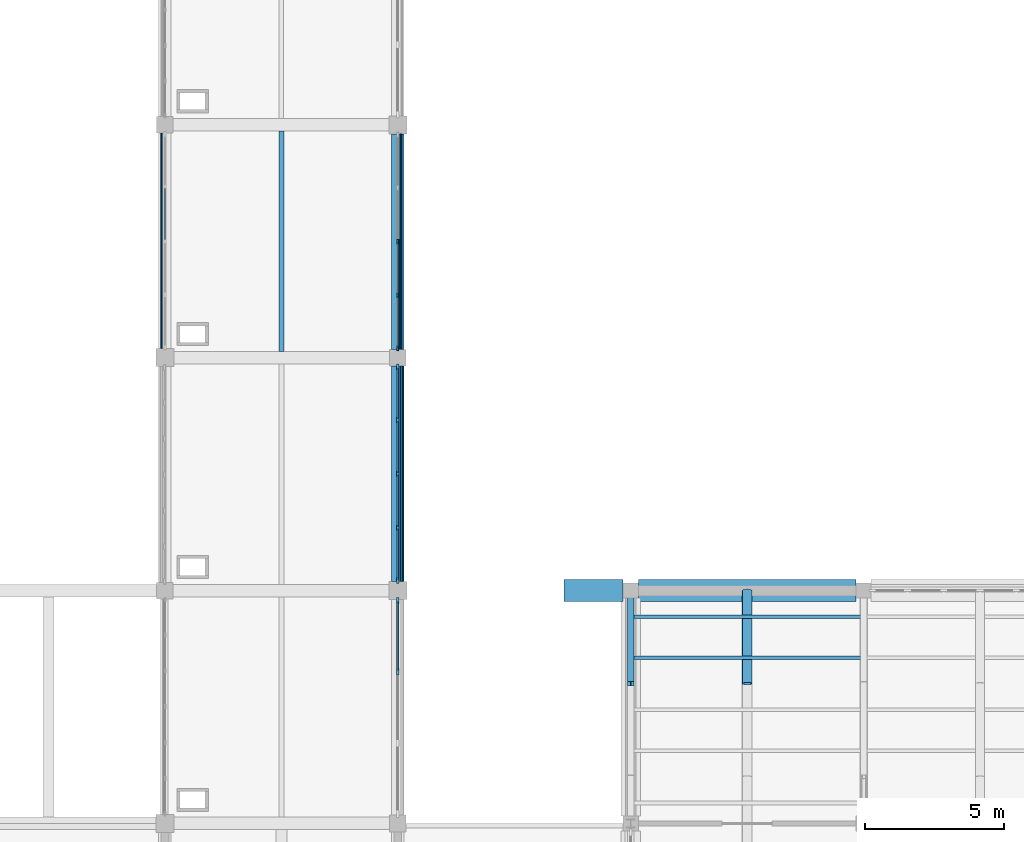
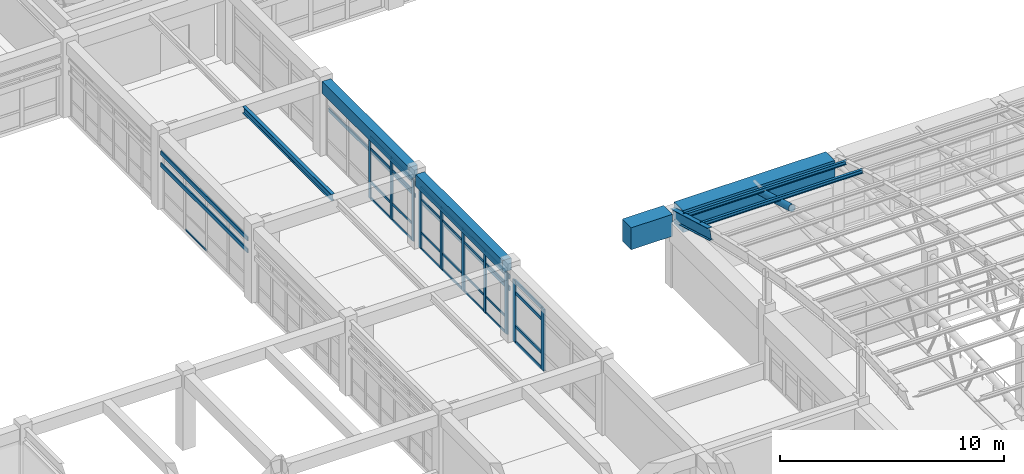
# One storey, part 27 of 74: 48 members, 6 beams, 4 elements without a shape of their own.
"""IFC4 building model written with IfcOpenShell, lengths in metres."""

from ifc_helpers import new_model, si_unit, direction, frame, origin, origin_2d, place, context, subcontext, project, spatial, rectangle, hollow_circle, i_section, extrude, material, layer, layer_set, material_profile, profile_set, type_object, element, aggregate, save


model = new_model("IFC4")

# Units and contexts
model_context = context("Model", 3, precision=1e-05, world=origin(), true_north=direction((0.0, 1.0)))
body_context = subcontext(model_context, "Body", "Model", "MODEL_VIEW")
ifc_project = project(units=[si_unit("LENGTHUNIT", "METRE"), si_unit("AREAUNIT", "SQUARE_METRE"), si_unit("VOLUMEUNIT", "CUBIC_METRE"), si_unit("PLANEANGLEUNIT", "RADIAN"), si_unit("MASSUNIT", "GRAM", prefix="KILO")], contexts=[model_context])

# Site, building, storey
site_placement = place(None, origin())
site = spatial("IfcSite", under=ifc_project, at=site_placement, CompositionType="ELEMENT")
building_placement = place(site_placement, origin())
building = spatial("IfcBuilding", under=site, at=building_placement, Name="Porcellanite Civic Hall", CompositionType="ELEMENT")
storey_placement = place(building_placement, frame((0.0, 0.0, 14.760009765625)))
storey = spatial("IfcBuildingStorey", under=building, at=storey_placement, Name="L03", CompositionType="ELEMENT", Elevation=14.760009765625)

# Member
ifc_material_1 = material(Name="Steel C350L0", Category="steel")
ifc_material_profile_1 = material_profile(ifc_material_1, hollow_circle(Radius=0.177734375, WallThickness=0.0126953125, at=origin_2d()), Name="355.6x12.7CHS")
ifc_profile_set_1 = profile_set([ifc_material_profile_1], Name="Steel C350L0")
member_type_1 = type_object("IfcMemberType", Name="ARCH-355CHS", PredefinedType="RAFTER", material=ifc_profile_set_1)
member_1_placement = place(storey_placement, frame((71.39990234375, 72.239990234375, 4.689208984375), z_axis=(0.0, 0.961270518067, -0.275606587539), x_axis=(-1.0, 0.0, 0.0)))
element("IfcMember", 1, at=member_1_placement, inside=storey, type_object=member_type_1, Name="Chamber secondary arch segment 8 10", PredefinedType="RAFTER", context=body_context, shape_type="SweptSolid", body=[
    extrude(hollow_circle(Radius=0.177734375, WallThickness=0.0126953125, at=origin_2d()), origin(), (0.0, 0.0, 1.0), 3.49560546875),
])

# Beams
ifc_material_2 = material(Name="Concrete N50 (50 MPa)", Category="concrete")
ifc_material_profile_2 = material_profile(ifc_material_2, rectangle(XDim=0.449951171875, YDim=0.64990234375, at=origin_2d()), Name="RC-450x650")
ifc_profile_set_2 = profile_set([ifc_material_profile_2], Name="Concrete N50 (50 MPa)")
beam_type_1 = type_object("IfcBeamType", Name="BM-RC650", PredefinedType="SPANDREL", material=ifc_profile_set_2)
for number, where, z_axis, x_axis, name in (
    (2, (58.800048828125, 75.924560546875, 3.744873046875), (0.0, 1.0, 0.0), (-1.0, 0.0, 0.0), "Beam Y L03 8-10"),
    (3, (58.800048828125, 84.299560546875, 3.744873046875), (0.0, 1.0, 0.0), (-1.0, 0.0, 0.0), "Beam Y L03 8-11"),
):
    element("IfcBeam", number, at=place(storey_placement, frame(where, z_axis=z_axis, x_axis=x_axis)), inside=storey, type_object=beam_type_1, Name=name, PredefinedType="SPANDREL", context=body_context, shape_type="SweptSolid", body=[
        extrude(rectangle(XDim=0.449951171875, YDim=0.64990234375, at=origin_2d()), origin(), (0.0, 0.0, 1.0), 7.77587890625),
    ])

# Curtain wall, members
ifc_material_3 = material(Name="Anodised aluminium and solar laminated glass", Category="aluminium")
ifc_layer_1 = layer(ifc_material_3, 0.179931640625)
ifc_layer_set_1 = layer_set([ifc_layer_1], Name="Anodised aluminium and solar laminated glass")
curtain_wall_type_1 = type_object("IfcCurtainWallType", Name="CW-SYS08", PredefinedType="NOTDEFINED", material=ifc_layer_set_1)
curtain_wall_1_placement = place(storey_placement, origin())
curtain_wall_1 = element("IfcCurtainWall", 4, at=curtain_wall_1_placement, inside=storey, type_object=curtain_wall_type_1, Name="Curtain wall CW-196", PredefinedType="NOTDEFINED")
ifc_material_4 = material(Name="Anodised aluminium 6063-T6", Category="aluminium")
ifc_material_profile_3 = material_profile(ifc_material_4, rectangle(XDim=0.080078125, YDim=0.239990234375, at=origin_2d()), Name="AL-80x240")
ifc_profile_set_3 = profile_set([ifc_material_profile_3], Name="Anodised aluminium 6063-T6")
member_type_2 = type_object("IfcMemberType", Name="CWM-01", PredefinedType="MULLION", material=ifc_profile_set_3)
member_2_placement = place(storey_placement, frame((58.800048828125, 75.23388671875, 0.0), z_axis=(0.0, 0.0, 1.0), x_axis=(1.0, 0.0, 0.0)))
member_2 = element("IfcMember", 5, at=member_2_placement, type_object=member_type_2, Name="CW-196 mullion 1", PredefinedType="MULLION", context=body_context, shape_type="SweptSolid", body=[
    extrude(rectangle(XDim=0.080078125, YDim=0.239990234375, at=origin_2d()), origin(), (0.0, 0.0, 1.0), 3.369873046875),
])
member_3_placement = place(storey_placement, frame((58.800048828125, 72.68310546875, 0.0), z_axis=(0.0, 0.0, 1.0), x_axis=(1.0, 0.0, 0.0)))
member_3 = element("IfcMember", 6, at=member_3_placement, type_object=member_type_2, Name="CW-196 mullion 2", PredefinedType="MULLION", context=body_context, shape_type="SweptSolid", body=[
    extrude(rectangle(XDim=0.080078125, YDim=0.239990234375, at=origin_2d()), origin(), (0.0, 0.0, 1.0), 3.369873046875),
])

ifc_material_5 = material(Name="Anodised aluminium and solar laminated glass", Category="aluminium")
ifc_layer_2 = layer(ifc_material_5, 0.179931640625)
ifc_layer_set_2 = layer_set([ifc_layer_2], Name="Anodised aluminium and solar laminated glass")
curtain_wall_type_2 = type_object("IfcCurtainWallType", Name="CW-SYS03", PredefinedType="NOTDEFINED", material=ifc_layer_set_2)
curtain_wall_2_placement = place(storey_placement, origin())
curtain_wall_2 = element("IfcCurtainWall", 7, at=curtain_wall_2_placement, inside=storey, type_object=curtain_wall_type_2, Name="Curtain wall CW-198", PredefinedType="NOTDEFINED")
ifc_material_6 = material(Name="Anodised aluminium 6063-T6", Category="aluminium")
ifc_material_profile_4 = material_profile(ifc_material_6, rectangle(XDim=0.080078125, YDim=0.2099609375, at=origin_2d()), Name="AL-80x210")
ifc_profile_set_4 = profile_set([ifc_material_profile_4], Name="Anodised aluminium 6063-T6")
member_type_3 = type_object("IfcMemberType", Name="CWM-02", PredefinedType="MULLION", material=ifc_profile_set_4)
member_4_placement = place(storey_placement, frame((58.800048828125, 83.658935546875, 0.0), z_axis=(0.0, 0.0, 1.0), x_axis=(1.0, 0.0, 0.0)))
member_4 = element("IfcMember", 8, at=member_4_placement, type_object=member_type_3, Name="CW-198 mullion 1", PredefinedType="MULLION", context=body_context, shape_type="SweptSolid", body=[
    extrude(rectangle(XDim=0.080078125, YDim=0.2099609375, at=origin_2d()), origin(), (0.0, 0.0, 1.0), 3.369873046875),
])
member_5_placement = place(storey_placement, frame((58.800048828125, 81.755859375, 0.0), z_axis=(0.0, 0.0, 1.0), x_axis=(1.0, 0.0, 0.0)))
member_5 = element("IfcMember", 9, at=member_5_placement, type_object=member_type_3, Name="CW-198 mullion 2", PredefinedType="MULLION", context=body_context, shape_type="SweptSolid", body=[
    extrude(rectangle(XDim=0.080078125, YDim=0.2099609375, at=origin_2d()), origin(), (0.0, 0.0, 1.0), 3.369873046875),
])
member_6_placement = place(storey_placement, frame((58.800048828125, 79.8125, 0.0), z_axis=(0.0, 0.0, 1.0), x_axis=(1.0, 0.0, 0.0)))
member_6 = element("IfcMember", 10, at=member_6_placement, type_object=member_type_3, Name="CW-198 mullion 3", PredefinedType="MULLION", context=body_context, shape_type="SweptSolid", body=[
    extrude(rectangle(XDim=0.080078125, YDim=0.2099609375, at=origin_2d()), origin(), (0.0, 0.0, 1.0), 3.369873046875),
])
member_7_placement = place(storey_placement, frame((58.800048828125, 77.869140625, 0.0), z_axis=(0.0, 0.0, 1.0), x_axis=(1.0, 0.0, 0.0)))
member_7 = element("IfcMember", 11, at=member_7_placement, type_object=member_type_3, Name="CW-198 mullion 4", PredefinedType="MULLION", context=body_context, shape_type="SweptSolid", body=[
    extrude(rectangle(XDim=0.080078125, YDim=0.2099609375, at=origin_2d()), origin(), (0.0, 0.0, 1.0), 3.369873046875),
])
member_8_placement = place(storey_placement, frame((58.800048828125, 75.966064453125, 0.0), z_axis=(0.0, 0.0, 1.0), x_axis=(1.0, 0.0, 0.0)))
member_8 = element("IfcMember", 12, at=member_8_placement, type_object=member_type_3, Name="CW-198 mullion 5", PredefinedType="MULLION", context=body_context, shape_type="SweptSolid", body=[
    extrude(rectangle(XDim=0.080078125, YDim=0.2099609375, at=origin_2d()), origin(), (0.0, 0.0, 1.0), 3.369873046875),
])

ifc_material_7 = material(Name="Anodised aluminium and solar laminated glass", Category="aluminium")
ifc_layer_3 = layer(ifc_material_7, 0.179931640625)
ifc_layer_set_3 = layer_set([ifc_layer_3], Name="Anodised aluminium and solar laminated glass")
curtain_wall_type_3 = type_object("IfcCurtainWallType", Name="CW-SYS06", PredefinedType="NOTDEFINED", material=ifc_layer_set_3)
curtain_wall_3_placement = place(storey_placement, origin())
curtain_wall_3 = element("IfcCurtainWall", 13, at=curtain_wall_3_placement, inside=storey, type_object=curtain_wall_type_3, Name="Curtain wall CW-200", PredefinedType="NOTDEFINED")
ifc_material_8 = material(Name="Anodised aluminium 6063-T6", Category="aluminium")
ifc_material_profile_5 = material_profile(ifc_material_8, rectangle(XDim=0.06494140625, YDim=0.179931640625, at=origin_2d()), Name="AL-65x180")
ifc_profile_set_5 = profile_set([ifc_material_profile_5], Name="Anodised aluminium 6063-T6")
member_type_4 = type_object("IfcMemberType", Name="CWM-06", PredefinedType="MULLION", material=ifc_profile_set_5)
member_9_placement = place(storey_placement, frame((58.800048828125, 88.1875, 0.0), z_axis=(0.0, 0.0, 1.0), x_axis=(1.0, 0.0, 0.0)))
member_9 = element("IfcMember", 14, at=member_9_placement, type_object=member_type_4, Name="CW-200 mullion 3", PredefinedType="MULLION", context=body_context, shape_type="SweptSolid", body=[
    extrude(rectangle(XDim=0.06494140625, YDim=0.179931640625, at=origin_2d()), origin(), (0.0, 0.0, 1.0), 3.369873046875),
])
member_10_placement = place(storey_placement, frame((58.800048828125, 86.244140625, 0.0), z_axis=(0.0, 0.0, 1.0), x_axis=(1.0, 0.0, 0.0)))
member_10 = element("IfcMember", 15, at=member_10_placement, type_object=member_type_4, Name="CW-200 mullion 4", PredefinedType="MULLION", context=body_context, shape_type="SweptSolid", body=[
    extrude(rectangle(XDim=0.06494140625, YDim=0.179931640625, at=origin_2d()), origin(), (0.0, 0.0, 1.0), 3.369873046875),
])
member_11_placement = place(storey_placement, frame((58.800048828125, 84.33349609375, 0.0), z_axis=(0.0, 0.0, 1.0), x_axis=(1.0, 0.0, 0.0)))
member_11 = element("IfcMember", 16, at=member_11_placement, type_object=member_type_4, Name="CW-200 mullion 5", PredefinedType="MULLION", context=body_context, shape_type="SweptSolid", body=[
    extrude(rectangle(XDim=0.06494140625, YDim=0.179931640625, at=origin_2d()), origin(), (0.0, 0.0, 1.0), 3.369873046875),
])

# Member
ifc_material_9 = material(Name="Anodised aluminium 6063-T6", Category="aluminium")
ifc_material_profile_6 = material_profile(ifc_material_9, rectangle(XDim=0.070068359375, YDim=0.175048828125, at=origin_2d()), Name="AL-70x175")
ifc_profile_set_6 = profile_set([ifc_material_profile_6], Name="Anodised aluminium 6063-T6")
member_type_5 = type_object("IfcMemberType", Name="CWT-01", PredefinedType="USERDEFINED", material=ifc_profile_set_6)
member_12_placement = place(storey_placement, frame((58.800048828125, 75.194091796875, 0.034912109375), z_axis=(0.0, -1.0, 0.0), x_axis=(1.0, 0.0, 0.0)))
member_12 = element("IfcMember", 17, at=member_12_placement, type_object=member_type_5, Name="CW-196 transom 1.1", ObjectType="TRANSOM", PredefinedType="USERDEFINED", context=body_context, shape_type="SweptSolid", body=[
    extrude(rectangle(XDim=0.070068359375, YDim=0.175048828125, at=origin_2d()), origin(), (0.0, 0.0, 1.0), 2.47119140625),
])

member_13_placement = place(storey_placement, frame((58.800048828125, 75.194091796875, 0.89990234375), z_axis=(0.0, -1.0, 0.0), x_axis=(1.0, 0.0, 0.0)))
member_13 = element("IfcMember", 18, at=member_13_placement, type_object=member_type_5, Name="CW-196 transom 1.2", ObjectType="TRANSOM", PredefinedType="USERDEFINED", context=body_context, shape_type="SweptSolid", body=[
    extrude(rectangle(XDim=0.070068359375, YDim=0.175048828125, at=origin_2d()), origin(), (0.0, 0.0, 1.0), 2.47119140625),
])

member_14_placement = place(storey_placement, frame((58.800048828125, 75.194091796875, 2.719970703125), z_axis=(0.0, -1.0, 0.0), x_axis=(1.0, 0.0, 0.0)))
member_14 = element("IfcMember", 19, at=member_14_placement, type_object=member_type_5, Name="CW-196 transom 1.3", ObjectType="TRANSOM", PredefinedType="USERDEFINED", context=body_context, shape_type="SweptSolid", body=[
    extrude(rectangle(XDim=0.070068359375, YDim=0.175048828125, at=origin_2d()), origin(), (0.0, 0.0, 1.0), 2.47119140625),
])

member_15_placement = place(storey_placement, frame((58.800048828125, 75.194091796875, 3.3349609375), z_axis=(0.0, -1.0, 0.0), x_axis=(1.0, 0.0, 0.0)))
member_15 = element("IfcMember", 20, at=member_15_placement, type_object=member_type_5, Name="CW-196 transom 1.4", ObjectType="TRANSOM", PredefinedType="USERDEFINED", context=body_context, shape_type="SweptSolid", body=[
    extrude(rectangle(XDim=0.070068359375, YDim=0.175048828125, at=origin_2d()), origin(), (0.0, 0.0, 1.0), 2.47119140625),
])

aggregate(curtain_wall_1, [member_2, member_3, member_12, member_13, member_14, member_15])

ifc_material_10 = material(Name="Anodised aluminium 6063-T6", Category="aluminium")
ifc_material_profile_7 = material_profile(ifc_material_10, rectangle(XDim=0.054931640625, YDim=0.1201171875, at=origin_2d()), Name="AL-55x120")
ifc_profile_set_7 = profile_set([ifc_material_profile_7], Name="Anodised aluminium 6063-T6")
member_type_6 = type_object("IfcMemberType", Name="CWT-04", PredefinedType="USERDEFINED", material=ifc_profile_set_7)
member_16_placement = place(storey_placement, frame((58.800048828125, 83.618896484375, 0.027587890625), z_axis=(0.0, -1.0, 0.0), x_axis=(1.0, 0.0, 0.0)))
member_16 = element("IfcMember", 21, at=member_16_placement, type_object=member_type_6, Name="CW-198 transom 1.1", ObjectType="TRANSOM", PredefinedType="USERDEFINED", context=body_context, shape_type="SweptSolid", body=[
    extrude(rectangle(XDim=0.054931640625, YDim=0.1201171875, at=origin_2d()), origin(), (0.0, 0.0, 1.0), 1.8232421875),
])

member_17_placement = place(storey_placement, frame((58.800048828125, 83.618896484375, 0.89990234375), z_axis=(0.0, -1.0, 0.0), x_axis=(1.0, 0.0, 0.0)))
member_17 = element("IfcMember", 22, at=member_17_placement, type_object=member_type_6, Name="CW-198 transom 1.2", ObjectType="TRANSOM", PredefinedType="USERDEFINED", context=body_context, shape_type="SweptSolid", body=[
    extrude(rectangle(XDim=0.054931640625, YDim=0.1201171875, at=origin_2d()), origin(), (0.0, 0.0, 1.0), 1.8232421875),
])

member_18_placement = place(storey_placement, frame((58.800048828125, 83.618896484375, 2.719970703125), z_axis=(0.0, -1.0, 0.0), x_axis=(1.0, 0.0, 0.0)))
member_18 = element("IfcMember", 23, at=member_18_placement, type_object=member_type_6, Name="CW-198 transom 1.3", ObjectType="TRANSOM", PredefinedType="USERDEFINED", context=body_context, shape_type="SweptSolid", body=[
    extrude(rectangle(XDim=0.054931640625, YDim=0.1201171875, at=origin_2d()), origin(), (0.0, 0.0, 1.0), 1.8232421875),
])

member_19_placement = place(storey_placement, frame((58.800048828125, 83.618896484375, 3.342529296875), z_axis=(0.0, -1.0, 0.0), x_axis=(1.0, 0.0, 0.0)))
member_19 = element("IfcMember", 24, at=member_19_placement, type_object=member_type_6, Name="CW-198 transom 1.4", ObjectType="TRANSOM", PredefinedType="USERDEFINED", context=body_context, shape_type="SweptSolid", body=[
    extrude(rectangle(XDim=0.054931640625, YDim=0.1201171875, at=origin_2d()), origin(), (0.0, 0.0, 1.0), 1.8232421875),
])

member_20_placement = place(storey_placement, frame((58.800048828125, 81.7158203125, 0.027587890625), z_axis=(0.0, -1.0, 0.0), x_axis=(1.0, 0.0, 0.0)))
member_20 = element("IfcMember", 25, at=member_20_placement, type_object=member_type_6, Name="CW-198 transom 2.1", ObjectType="TRANSOM", PredefinedType="USERDEFINED", context=body_context, shape_type="SweptSolid", body=[
    extrude(rectangle(XDim=0.054931640625, YDim=0.1201171875, at=origin_2d()), origin(), (0.0, 0.0, 1.0), 1.86328125),
])

member_21_placement = place(storey_placement, frame((58.800048828125, 81.7158203125, 0.89990234375), z_axis=(0.0, -1.0, 0.0), x_axis=(1.0, 0.0, 0.0)))
member_21 = element("IfcMember", 26, at=member_21_placement, type_object=member_type_6, Name="CW-198 transom 2.2", ObjectType="TRANSOM", PredefinedType="USERDEFINED", context=body_context, shape_type="SweptSolid", body=[
    extrude(rectangle(XDim=0.054931640625, YDim=0.1201171875, at=origin_2d()), origin(), (0.0, 0.0, 1.0), 1.86328125),
])

member_22_placement = place(storey_placement, frame((58.800048828125, 81.7158203125, 2.719970703125), z_axis=(0.0, -1.0, 0.0), x_axis=(1.0, 0.0, 0.0)))
member_22 = element("IfcMember", 27, at=member_22_placement, type_object=member_type_6, Name="CW-198 transom 2.3", ObjectType="TRANSOM", PredefinedType="USERDEFINED", context=body_context, shape_type="SweptSolid", body=[
    extrude(rectangle(XDim=0.054931640625, YDim=0.1201171875, at=origin_2d()), origin(), (0.0, 0.0, 1.0), 1.86328125),
])

member_23_placement = place(storey_placement, frame((58.800048828125, 81.7158203125, 3.342529296875), z_axis=(0.0, -1.0, 0.0), x_axis=(1.0, 0.0, 0.0)))
member_23 = element("IfcMember", 28, at=member_23_placement, type_object=member_type_6, Name="CW-198 transom 2.4", ObjectType="TRANSOM", PredefinedType="USERDEFINED", context=body_context, shape_type="SweptSolid", body=[
    extrude(rectangle(XDim=0.054931640625, YDim=0.1201171875, at=origin_2d()), origin(), (0.0, 0.0, 1.0), 1.86328125),
])

member_24_placement = place(storey_placement, frame((58.800048828125, 79.7724609375, 0.027587890625), z_axis=(0.0, -1.0, 0.0), x_axis=(1.0, 0.0, 0.0)))
member_24 = element("IfcMember", 29, at=member_24_placement, type_object=member_type_6, Name="CW-198 transom 3.1", ObjectType="TRANSOM", PredefinedType="USERDEFINED", context=body_context, shape_type="SweptSolid", body=[
    extrude(rectangle(XDim=0.054931640625, YDim=0.1201171875, at=origin_2d()), origin(), (0.0, 0.0, 1.0), 1.86328125),
])

member_25_placement = place(storey_placement, frame((58.800048828125, 79.7724609375, 0.89990234375), z_axis=(0.0, -1.0, 0.0), x_axis=(1.0, 0.0, 0.0)))
member_25 = element("IfcMember", 30, at=member_25_placement, type_object=member_type_6, Name="CW-198 transom 3.2", ObjectType="TRANSOM", PredefinedType="USERDEFINED", context=body_context, shape_type="SweptSolid", body=[
    extrude(rectangle(XDim=0.054931640625, YDim=0.1201171875, at=origin_2d()), origin(), (0.0, 0.0, 1.0), 1.86328125),
])

member_26_placement = place(storey_placement, frame((58.800048828125, 79.7724609375, 2.719970703125), z_axis=(0.0, -1.0, 0.0), x_axis=(1.0, 0.0, 0.0)))
member_26 = element("IfcMember", 31, at=member_26_placement, type_object=member_type_6, Name="CW-198 transom 3.3", ObjectType="TRANSOM", PredefinedType="USERDEFINED", context=body_context, shape_type="SweptSolid", body=[
    extrude(rectangle(XDim=0.054931640625, YDim=0.1201171875, at=origin_2d()), origin(), (0.0, 0.0, 1.0), 1.86328125),
])

member_27_placement = place(storey_placement, frame((58.800048828125, 79.7724609375, 3.342529296875), z_axis=(0.0, -1.0, 0.0), x_axis=(1.0, 0.0, 0.0)))
member_27 = element("IfcMember", 32, at=member_27_placement, type_object=member_type_6, Name="CW-198 transom 3.4", ObjectType="TRANSOM", PredefinedType="USERDEFINED", context=body_context, shape_type="SweptSolid", body=[
    extrude(rectangle(XDim=0.054931640625, YDim=0.1201171875, at=origin_2d()), origin(), (0.0, 0.0, 1.0), 1.86328125),
])

member_28_placement = place(storey_placement, frame((58.800048828125, 77.829345703125, 0.027587890625), z_axis=(0.0, -1.0, 0.0), x_axis=(1.0, 0.0, 0.0)))
member_28 = element("IfcMember", 33, at=member_28_placement, type_object=member_type_6, Name="CW-198 transom 4.1", ObjectType="TRANSOM", PredefinedType="USERDEFINED", context=body_context, shape_type="SweptSolid", body=[
    extrude(rectangle(XDim=0.054931640625, YDim=0.1201171875, at=origin_2d()), origin(), (0.0, 0.0, 1.0), 1.8232421875),
])

member_29_placement = place(storey_placement, frame((58.800048828125, 77.829345703125, 0.89990234375), z_axis=(0.0, -1.0, 0.0), x_axis=(1.0, 0.0, 0.0)))
member_29 = element("IfcMember", 34, at=member_29_placement, type_object=member_type_6, Name="CW-198 transom 4.2", ObjectType="TRANSOM", PredefinedType="USERDEFINED", context=body_context, shape_type="SweptSolid", body=[
    extrude(rectangle(XDim=0.054931640625, YDim=0.1201171875, at=origin_2d()), origin(), (0.0, 0.0, 1.0), 1.8232421875),
])

member_30_placement = place(storey_placement, frame((58.800048828125, 77.829345703125, 2.719970703125), z_axis=(0.0, -1.0, 0.0), x_axis=(1.0, 0.0, 0.0)))
member_30 = element("IfcMember", 35, at=member_30_placement, type_object=member_type_6, Name="CW-198 transom 4.3", ObjectType="TRANSOM", PredefinedType="USERDEFINED", context=body_context, shape_type="SweptSolid", body=[
    extrude(rectangle(XDim=0.054931640625, YDim=0.1201171875, at=origin_2d()), origin(), (0.0, 0.0, 1.0), 1.8232421875),
])

member_31_placement = place(storey_placement, frame((58.800048828125, 77.829345703125, 3.342529296875), z_axis=(0.0, -1.0, 0.0), x_axis=(1.0, 0.0, 0.0)))
member_31 = element("IfcMember", 36, at=member_31_placement, type_object=member_type_6, Name="CW-198 transom 4.4", ObjectType="TRANSOM", PredefinedType="USERDEFINED", context=body_context, shape_type="SweptSolid", body=[
    extrude(rectangle(XDim=0.054931640625, YDim=0.1201171875, at=origin_2d()), origin(), (0.0, 0.0, 1.0), 1.8232421875),
])

aggregate(curtain_wall_2, [member_4, member_5, member_6, member_7, member_8, member_16, member_17, member_18, member_19, member_20, member_21, member_22, member_23, member_24, member_25, member_26, member_27, member_28, member_29, member_30, member_31])

# Curtain wall, member
ifc_material_11 = material(Name="Anodised aluminium and solar laminated glass", Category="aluminium")
ifc_layer_4 = layer(ifc_material_11, 0.179931640625)
ifc_layer_set_4 = layer_set([ifc_layer_4], Name="Anodised aluminium and solar laminated glass")
curtain_wall_type_4 = type_object("IfcCurtainWallType", Name="CW-SYS04", PredefinedType="NOTDEFINED", material=ifc_layer_set_4)
curtain_wall_4_placement = place(storey_placement, origin())
curtain_wall_4 = element("IfcCurtainWall", 37, at=curtain_wall_4_placement, inside=storey, type_object=curtain_wall_type_4, Name="Curtain wall CW-199", PredefinedType="NOTDEFINED")
ifc_material_12 = material(Name="Anodised aluminium 6063-T6", Category="aluminium")
ifc_material_profile_8 = material_profile(ifc_material_12, rectangle(XDim=0.054931640625, YDim=0.10009765625, at=origin_2d()), Name="AL-55x100")
ifc_profile_set_8 = profile_set([ifc_material_profile_8], Name="Anodised aluminium 6063-T6")
member_type_7 = type_object("IfcMemberType", Name="CWT-05", PredefinedType="USERDEFINED", material=ifc_profile_set_8)
member_32_placement = place(storey_placement, frame((50.39990234375, 88.25, 0.027587890625), z_axis=(0.0, 1.0, 0.0), x_axis=(-1.0, 0.0, 0.0)))
member_32 = element("IfcMember", 38, at=member_32_placement, type_object=member_type_7, Name="CW-199 transom 3.1", ObjectType="TRANSOM", PredefinedType="USERDEFINED", context=body_context, shape_type="SweptSolid", body=[
    extrude(rectangle(XDim=0.054931640625, YDim=0.10009765625, at=origin_2d()), origin(), (0.0, 0.0, 1.0), 1.8681640625),
])
aggregate(curtain_wall_4, [member_32])

# Member
ifc_material_13 = material(Name="Anodised aluminium 6063-T6", Category="aluminium")
ifc_material_profile_9 = material_profile(ifc_material_13, rectangle(XDim=0.050048828125, YDim=0.139892578125, at=origin_2d()), Name="AL-50x140")
ifc_profile_set_9 = profile_set([ifc_material_profile_9], Name="Anodised aluminium 6063-T6")
member_type_8 = type_object("IfcMemberType", Name="CWT-06", PredefinedType="USERDEFINED", material=ifc_profile_set_9)
member_33_placement = place(storey_placement, frame((58.800048828125, 88.155029296875, 0.02490234375), z_axis=(0.0, -1.0, 0.0), x_axis=(1.0, 0.0, 0.0)))
member_33 = element("IfcMember", 39, at=member_33_placement, type_object=member_type_8, Name="CW-200 transom 3.1", ObjectType="TRANSOM", PredefinedType="USERDEFINED", context=body_context, shape_type="SweptSolid", body=[
    extrude(rectangle(XDim=0.050048828125, YDim=0.139892578125, at=origin_2d()), origin(), (0.0, 0.0, 1.0), 1.878173828125),
])

member_34_placement = place(storey_placement, frame((58.800048828125, 88.155029296875, 0.89990234375), z_axis=(0.0, -1.0, 0.0), x_axis=(1.0, 0.0, 0.0)))
member_34 = element("IfcMember", 40, at=member_34_placement, type_object=member_type_8, Name="CW-200 transom 3.2", ObjectType="TRANSOM", PredefinedType="USERDEFINED", context=body_context, shape_type="SweptSolid", body=[
    extrude(rectangle(XDim=0.050048828125, YDim=0.139892578125, at=origin_2d()), origin(), (0.0, 0.0, 1.0), 1.878173828125),
])

member_35_placement = place(storey_placement, frame((58.800048828125, 88.155029296875, 2.719970703125), z_axis=(0.0, -1.0, 0.0), x_axis=(1.0, 0.0, 0.0)))
member_35 = element("IfcMember", 41, at=member_35_placement, type_object=member_type_8, Name="CW-200 transom 3.3", ObjectType="TRANSOM", PredefinedType="USERDEFINED", context=body_context, shape_type="SweptSolid", body=[
    extrude(rectangle(XDim=0.050048828125, YDim=0.139892578125, at=origin_2d()), origin(), (0.0, 0.0, 1.0), 1.878173828125),
])

member_36_placement = place(storey_placement, frame((58.800048828125, 88.155029296875, 3.344970703125), z_axis=(0.0, -1.0, 0.0), x_axis=(1.0, 0.0, 0.0)))
member_36 = element("IfcMember", 42, at=member_36_placement, type_object=member_type_8, Name="CW-200 transom 3.4", ObjectType="TRANSOM", PredefinedType="USERDEFINED", context=body_context, shape_type="SweptSolid", body=[
    extrude(rectangle(XDim=0.050048828125, YDim=0.139892578125, at=origin_2d()), origin(), (0.0, 0.0, 1.0), 1.878173828125),
])

member_37_placement = place(storey_placement, frame((58.800048828125, 86.211669921875, 0.02490234375), z_axis=(0.0, -1.0, 0.0), x_axis=(1.0, 0.0, 0.0)))
member_37 = element("IfcMember", 43, at=member_37_placement, type_object=member_type_8, Name="CW-200 transom 4.1", ObjectType="TRANSOM", PredefinedType="USERDEFINED", context=body_context, shape_type="SweptSolid", body=[
    extrude(rectangle(XDim=0.050048828125, YDim=0.139892578125, at=origin_2d()), origin(), (0.0, 0.0, 1.0), 1.845703125),
])

member_38_placement = place(storey_placement, frame((58.800048828125, 86.211669921875, 0.89990234375), z_axis=(0.0, -1.0, 0.0), x_axis=(1.0, 0.0, 0.0)))
member_38 = element("IfcMember", 44, at=member_38_placement, type_object=member_type_8, Name="CW-200 transom 4.2", ObjectType="TRANSOM", PredefinedType="USERDEFINED", context=body_context, shape_type="SweptSolid", body=[
    extrude(rectangle(XDim=0.050048828125, YDim=0.139892578125, at=origin_2d()), origin(), (0.0, 0.0, 1.0), 1.845703125),
])

member_39_placement = place(storey_placement, frame((58.800048828125, 86.211669921875, 2.719970703125), z_axis=(0.0, -1.0, 0.0), x_axis=(1.0, 0.0, 0.0)))
member_39 = element("IfcMember", 45, at=member_39_placement, type_object=member_type_8, Name="CW-200 transom 4.3", ObjectType="TRANSOM", PredefinedType="USERDEFINED", context=body_context, shape_type="SweptSolid", body=[
    extrude(rectangle(XDim=0.050048828125, YDim=0.139892578125, at=origin_2d()), origin(), (0.0, 0.0, 1.0), 1.845703125),
])

member_40_placement = place(storey_placement, frame((58.800048828125, 86.211669921875, 3.344970703125), z_axis=(0.0, -1.0, 0.0), x_axis=(1.0, 0.0, 0.0)))
member_40 = element("IfcMember", 46, at=member_40_placement, type_object=member_type_8, Name="CW-200 transom 4.4", ObjectType="TRANSOM", PredefinedType="USERDEFINED", context=body_context, shape_type="SweptSolid", body=[
    extrude(rectangle(XDim=0.050048828125, YDim=0.139892578125, at=origin_2d()), origin(), (0.0, 0.0, 1.0), 1.845703125),
])

aggregate(curtain_wall_3, [member_9, member_10, member_11, member_33, member_34, member_35, member_36, member_37, member_38, member_39, member_40])

# Beams
ifc_material_14 = material(Name="Concrete N50 (50 MPa)", Category="concrete")
ifc_material_profile_10 = material_profile(ifc_material_14, rectangle(XDim=0.800048828125, YDim=1.199951171875, at=origin_2d()), Name="RC-800x1200")
ifc_profile_set_10 = profile_set([ifc_material_profile_10], Name="Concrete N50 (50 MPa)")
beam_type_2 = type_object("IfcBeamType", Name="EB-CH1", PredefinedType="SPANDREL", material=ifc_profile_set_10)
beam_1_placement = place(storey_placement, frame((67.474609375, 75.60009765625, 3.524658203125), z_axis=(1.0, 0.0, 0.0), x_axis=(0.0, 1.0, 0.0)))
element("IfcBeam", 47, at=beam_1_placement, inside=storey, type_object=beam_type_2, Name="Chamber visible shell edge beam N 8", PredefinedType="SPANDREL", context=body_context, shape_type="SweptSolid", body=[
    extrude(rectangle(XDim=0.800048828125, YDim=1.199951171875, at=origin_2d()), origin(), (0.0, 0.0, 1.0), 7.850830078125),
])
beam_2_placement = place(storey_placement, frame((66.925537109375, 75.60009765625, 3.524658203125), z_axis=(-1.0, 0.0, 0.0), x_axis=(0.0, -1.0, 0.0)))
element("IfcBeam", 48, at=beam_2_placement, inside=storey, type_object=beam_type_2, Name="Chamber cantilevered shell edge beam W N", PredefinedType="SPANDREL", context=body_context, shape_type="SweptSolid", body=[
    extrude(rectangle(XDim=0.800048828125, YDim=1.199951171875, at=origin_2d()), origin(), (0.0, 0.0, 1.0), 2.12548828125),
])
ifc_material_15 = material(Name="Steel Grade 350", Category="steel")
ifc_material_profile_11 = material_profile(ifc_material_15, i_section(OverallWidth=0.172119140625, OverallDepth=0.35888671875, WebThickness=0.008056640625, FlangeThickness=0.012939453125, FilletRadius=0.011474609375, at=origin_2d()), Name="360UB56.7")
ifc_profile_set_11 = profile_set([ifc_material_profile_11], Name="Steel Grade 350")
beam_type_3 = type_object("IfcBeamType", Name="JST-360UB57", PredefinedType="JOIST", material=ifc_profile_set_11)
beam_3_placement = place(storey_placement, frame((54.60009765625, 84.224609375, 3.890380859375), z_axis=(0.0, 1.0, 0.0), x_axis=(-1.0, 0.0, 0.0)))
element("IfcBeam", 49, at=beam_3_placement, inside=storey, type_object=beam_type_3, Name="Secondary joist L03 7-11", PredefinedType="JOIST", context=body_context, shape_type="SweptSolid", body=[
    extrude(i_section(OverallWidth=0.172119140625, OverallDepth=0.35888671875, WebThickness=0.008056640625, FlangeThickness=0.012939453125, FilletRadius=0.011474609375, at=origin_2d()), origin(), (0.0, 0.0, 1.0), 7.950927734375),
])

# Members
ifc_material_16 = material(Name="Fluoropolymer bauxite-red aluminium 6063-T6", Category="aluminium")
ifc_material_profile_12 = material_profile(ifc_material_16, rectangle(XDim=0.06494140625, YDim=0.239990234375, at=origin_2d()), Name="AL-65x240")
ifc_profile_set_12 = profile_set([ifc_material_profile_12], Name="Fluoropolymer bauxite-red aluminium 6063-T6")
member_type_9 = type_object("IfcMemberType", Name="LV-BLD07", PredefinedType="USERDEFINED", material=ifc_profile_set_12)
for number, where, z_axis, x_axis, name in (
    (50, (58.939453125, 83.700439453125, 3.070068359375), (0.0, -1.0, 0.0), (1.0, 0.0, 0.0), "Cyclone sunshade louvre L03 E 6-9 1"),
    (51, (58.939453125, 83.700439453125, 2.419921875), (0.0, -1.0, 0.0), (1.0, 0.0, 0.0), "Cyclone sunshade louvre L03 E 6-9 2"),
):
    element("IfcMember", number, at=place(storey_placement, frame(where, z_axis=z_axis, x_axis=x_axis)), inside=storey, type_object=member_type_9, Name=name, ObjectType="LOUVRE BLADE", PredefinedType="USERDEFINED", context=body_context, shape_type="SweptSolid", body=[
        extrude(rectangle(XDim=0.06494140625, YDim=0.239990234375, at=origin_2d()), origin(), (0.0, 0.0, 1.0), 7.77587890625),
    ])
ifc_material_17 = material(Name="Fluoropolymer bauxite-red aluminium 6063-T6", Category="aluminium")
ifc_material_profile_13 = material_profile(ifc_material_17, rectangle(XDim=0.06005859375, YDim=0.219970703125, at=origin_2d()), Name="AL-60x220")
ifc_profile_set_13 = profile_set([ifc_material_profile_13], Name="Fluoropolymer bauxite-red aluminium 6063-T6")
member_type_10 = type_object("IfcMemberType", Name="LV-BLD08", PredefinedType="USERDEFINED", material=ifc_profile_set_13)
for number, where, z_axis, x_axis, name in (
    (52, (50.27294921875, 84.324462890625, 3.070068359375), (0.0, 1.0, 0.0), (-1.0, 0.0, 0.0), "Cyclone sunshade louvre L03 W 6-10 1"),
    (53, (50.27294921875, 84.324462890625, 2.419921875), (0.0, 1.0, 0.0), (-1.0, 0.0, 0.0), "Cyclone sunshade louvre L03 W 6-10 2"),
):
    element("IfcMember", number, at=place(storey_placement, frame(where, z_axis=z_axis, x_axis=x_axis)), inside=storey, type_object=member_type_10, Name=name, ObjectType="LOUVRE BLADE", PredefinedType="USERDEFINED", context=body_context, shape_type="SweptSolid", body=[
        extrude(rectangle(XDim=0.06005859375, YDim=0.219970703125, at=origin_2d()), origin(), (0.0, 0.0, 1.0), 7.776123046875),
    ])
ifc_material_18 = material(Name="Fluoropolymer bauxite-red aluminium 6063-T6", Category="aluminium")
ifc_material_profile_14 = material_profile(ifc_material_18, rectangle(XDim=0.054931640625, YDim=0.199951171875, at=origin_2d()), Name="AL-55x200")
ifc_profile_set_14 = profile_set([ifc_material_profile_14], Name="Fluoropolymer bauxite-red aluminium 6063-T6")
member_type_11 = type_object("IfcMemberType", Name="LV-BLD09", PredefinedType="USERDEFINED", material=ifc_profile_set_14)
for number, where, z_axis, x_axis, name in (
    (54, (58.91943359375, 92.075439453125, 3.070068359375), (0.0, -1.0, 0.0), (1.0, 0.0, 0.0), "Cyclone sunshade louvre L03 E 6-10 1"),
    (55, (58.91943359375, 92.075439453125, 2.419921875), (0.0, -1.0, 0.0), (1.0, 0.0, 0.0), "Cyclone sunshade louvre L03 E 6-10 2"),
):
    element("IfcMember", number, at=place(storey_placement, frame(where, z_axis=z_axis, x_axis=x_axis)), inside=storey, type_object=member_type_11, Name=name, ObjectType="LOUVRE BLADE", PredefinedType="USERDEFINED", context=body_context, shape_type="SweptSolid", body=[
        extrude(rectangle(XDim=0.054931640625, YDim=0.199951171875, at=origin_2d()), origin(), (0.0, 0.0, 1.0), 7.77587890625),
    ])
ifc_material_19 = material(Name="Steel Grade 350", Category="steel")
ifc_material_profile_15 = material_profile(ifc_material_19, i_section(OverallWidth=0.133056640625, OverallDepth=0.202880859375, WebThickness=0.005859375, FlangeThickness=0.0078125, FilletRadius=0.0087890625, at=origin_2d()), Name="200UB25.4")
ifc_profile_set_15 = profile_set([ifc_material_profile_15], Name="Steel Grade 350")
member_type_12 = type_object("IfcMemberType", Name="PUR-200UB25", PredefinedType="PURLIN", material=ifc_profile_set_15)
for number, where, z_axis, x_axis, name in (
    (56, (67.20654296875, 73.180908203125, 4.69775390625), (1.0, 0.0, 0.0), (0.0, 1.0, 0.0), "Chamber shell purlin 8 10A"),
    (57, (67.20654296875, 74.6591796875, 4.273681640625), (1.0, 0.0, 0.0), (0.0, 1.0, 0.0), "Chamber shell purlin 8 10B"),
):
    element("IfcMember", number, at=place(storey_placement, frame(where, z_axis=z_axis, x_axis=x_axis)), inside=storey, type_object=member_type_12, Name=name, PredefinedType="PURLIN", context=body_context, shape_type="SweptSolid", body=[
        extrude(i_section(OverallWidth=0.133056640625, OverallDepth=0.202880859375, WebThickness=0.005859375, FlangeThickness=0.0078125, FilletRadius=0.0087890625, at=origin_2d()), origin(), (0.0, 0.0, 1.0), 8.386962890625),
    ])

# Beam
ifc_material_20 = material(Name="Steel Grade 350", Category="steel")
ifc_material_profile_16 = material_profile(ifc_material_20, i_section(OverallWidth=0.22900390625, OverallDepth=0.612060546875, WebThickness=0.011962890625, FlangeThickness=0.01953125, FilletRadius=0.013916015625, at=origin_2d()), Name="610UB125")
ifc_profile_set_16 = profile_set([ifc_material_profile_16], Name="Steel Grade 350")
beam_type_4 = type_object("IfcBeamType", Name="RIB-610UB125", PredefinedType="BEAM", material=ifc_profile_set_16)
beam_4_placement = place(storey_placement, frame((67.199951171875, 72.239990234375, 4.75146484375), z_axis=(0.0, 0.961252012167, -0.275671124902), x_axis=(-1.0, 0.0, 0.0)))
element("IfcBeam", 58, at=beam_4_placement, inside=storey, type_object=beam_type_4, Name="Chamber steel arch rib 8 seg 10", PredefinedType="BEAM", context=body_context, shape_type="SweptSolid", body=[
    extrude(i_section(OverallWidth=0.22900390625, OverallDepth=0.612060546875, WebThickness=0.011962890625, FlangeThickness=0.01953125, FilletRadius=0.013916015625, at=origin_2d()), origin(), (0.0, 0.0, 1.0), 3.49560546875),
])

save(model, "model.ifc")
